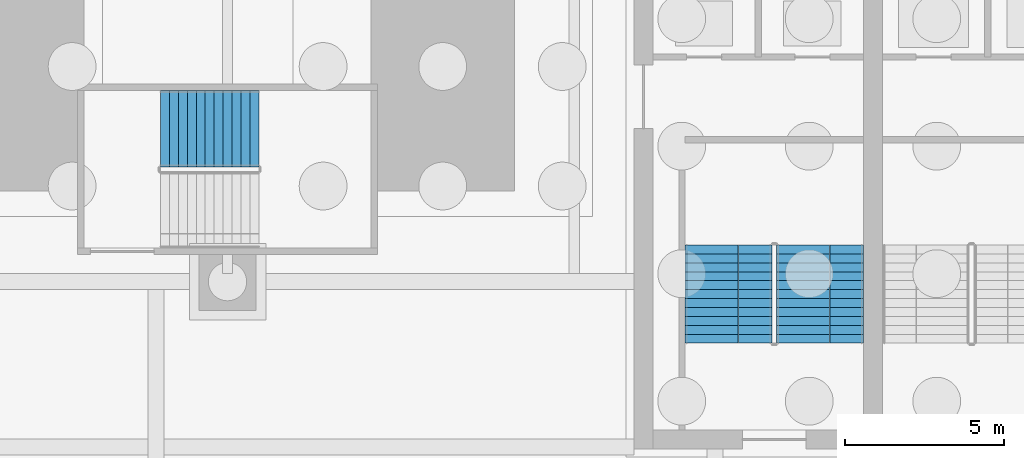
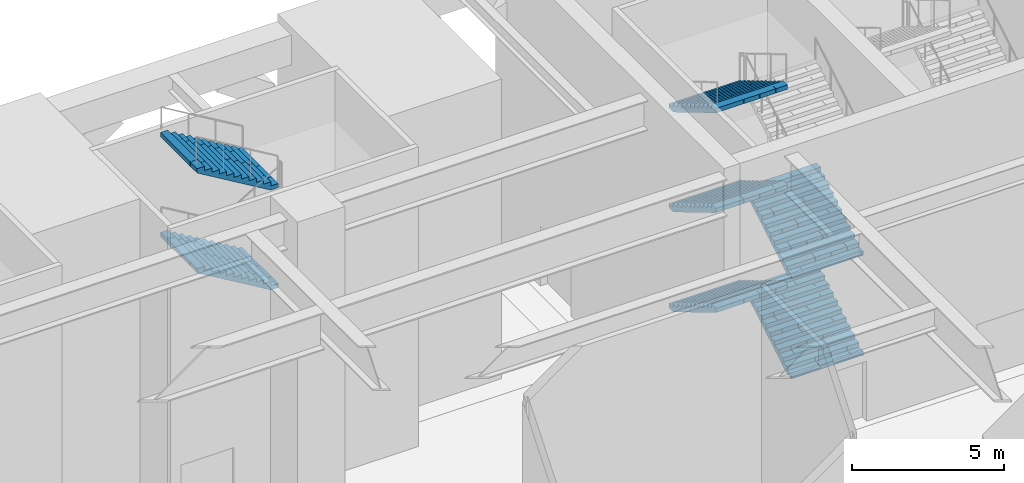
# One storey, part 24 of 34: 7 stair flights, 2 elements without a shape of their own.
"""IFC4 building model written with IfcOpenShell, lengths in metres."""

from ifc_helpers import new_model, si_unit, direction, frame, origin, place, context, subcontext, project, spatial, polyline, outline, extrude, material, type_object, element, aggregate, save


model = new_model("IFC4")

# Units and contexts
model_context = context("Model", 3, precision=1e-05, world=origin(), true_north=direction((0.0, 1.0)))
body_context = subcontext(model_context, "Body", "Model", "MODEL_VIEW")
ifc_project = project(units=[si_unit("LENGTHUNIT", "METRE"), si_unit("AREAUNIT", "SQUARE_METRE"), si_unit("VOLUMEUNIT", "CUBIC_METRE"), si_unit("PLANEANGLEUNIT", "RADIAN"), si_unit("MASSUNIT", "GRAM", prefix="KILO")], contexts=[model_context])

# Site, building, storey
site_placement = place(None, origin())
site = spatial("IfcSite", under=ifc_project, at=site_placement, CompositionType="ELEMENT")
building_placement = place(site_placement, origin())
building = spatial("IfcBuilding", under=site, at=building_placement, Name="Corbelhall Arena Tower", CompositionType="ELEMENT")
storey_placement = place(building_placement, origin())
storey = spatial("IfcBuildingStorey", under=building, at=storey_placement, Name="L00", CompositionType="ELEMENT", Elevation=0.0)

# Stair, stair flights
ifc_material = material(Name="Reinforced concrete C40/50", Category="concrete")
stair_type = type_object("IfcStairType", Name="AR-EXIT-STAIR", PredefinedType="HALF_TURN_STAIR", material=ifc_material)
stair_1_placement = place(storey_placement, origin())
stair_1 = element("IfcStair", 1, at=stair_1_placement, inside=storey, type_object=stair_type, Name="L00 exit stair AS12", PredefinedType="HALF_TURN_STAIR")
stair_flight_type = type_object("IfcStairFlightType", Name="AR-EXIT-FLIGHT", PredefinedType="STRAIGHT", material=ifc_material)
stair_flight_1_placement = place(storey_placement, frame((21.22998046875, 34.050048828125, 6.0), z_axis=(0.0, 0.0, 1.0), x_axis=(-1.0, 0.0, 0.0)))
stair_flight_1 = element("IfcStairFlight", 2, at=stair_flight_1_placement, type_object=stair_flight_type, Name="AS12 flight 4", NumberOfRisers=12, NumberOfTreads=11, PredefinedType="STRAIGHT", RiserHeight=0.166666667, TreadLength=0.28, context=body_context, shape_type="SweptSolid", body=[
    extrude(outline(polyline([(0.0, 0.0), (0.0, 0.166748046875), (0.280029296875, 0.166748046875), (0.280029296875, 0.333251953125), (0.56005859375, 0.333251953125), (0.56005859375, 0.5), (0.840087890625, 0.5), (0.840087890625, 0.666748046875), (1.1201171875, 0.666748046875), (1.1201171875, 0.833251953125), (1.39990234375, 0.833251953125), (1.39990234375, 1.0), (1.679931640625, 1.0), (1.679931640625, 1.166748046875), (1.9599609375, 1.166748046875), (1.9599609375, 1.333251953125), (2.239990234375, 1.333251953125), (2.239990234375, 1.5), (2.52001953125, 1.5), (2.52001953125, 1.666748046875), (2.800048828125, 1.666748046875), (2.800048828125, 1.833251953125), (3.080078125, 1.833251953125), (3.080078125, 2.0), (3.080078125, 1.658935546875), (0.29296875, 0.0), (0.0, 0.0)])), frame((0.0, 1.199951171875, 0.0), z_axis=(0.0, -1.0, 0.0), x_axis=(1.0, 0.0, 0.0)), (0.0, 0.0, 1.0), 0.449951171875),
    extrude(outline(polyline([(0.0, 0.0), (0.0, 0.166748046875), (0.280029296875, 0.166748046875), (0.280029296875, 0.333251953125), (0.56005859375, 0.333251953125), (0.56005859375, 0.5), (0.840087890625, 0.5), (0.840087890625, 0.666748046875), (1.1201171875, 0.666748046875), (1.1201171875, 0.833251953125), (1.39990234375, 0.833251953125), (1.39990234375, 1.0), (1.679931640625, 1.0), (1.679931640625, 1.166748046875), (1.9599609375, 1.166748046875), (1.9599609375, 1.333251953125), (2.239990234375, 1.333251953125), (2.239990234375, 1.5), (2.52001953125, 1.5), (2.52001953125, 1.666748046875), (2.800048828125, 1.666748046875), (2.800048828125, 1.833251953125), (3.080078125, 1.833251953125), (3.080078125, 2.0), (3.080078125, 1.658935546875), (0.29296875, 0.0), (0.0, 0.0)])), frame((0.0, 0.745849609375, 0.0), z_axis=(0.0, -1.0, 0.0), x_axis=(1.0, 0.0, 0.0)), (0.0, 0.0, 1.0), 0.743896484375),
    extrude(outline(polyline([(0.0, 0.0), (0.0, 0.166748046875), (0.280029296875, 0.166748046875), (0.280029296875, 0.333251953125), (0.56005859375, 0.333251953125), (0.56005859375, 0.5), (0.840087890625, 0.5), (0.840087890625, 0.666748046875), (1.1201171875, 0.666748046875), (1.1201171875, 0.833251953125), (1.39990234375, 0.833251953125), (1.39990234375, 1.0), (1.679931640625, 1.0), (1.679931640625, 1.166748046875), (1.9599609375, 1.166748046875), (1.9599609375, 1.333251953125), (2.239990234375, 1.333251953125), (2.239990234375, 1.5), (2.52001953125, 1.5), (2.52001953125, 1.666748046875), (2.800048828125, 1.666748046875), (2.800048828125, 1.833251953125), (3.080078125, 1.833251953125), (3.080078125, 2.0), (3.080078125, 1.658935546875), (0.29296875, 0.0), (0.0, 0.0)])), frame((0.0, -0.001953125, 0.0), z_axis=(0.0, -1.0, 0.0), x_axis=(1.0, 0.0, 0.0)), (0.0, 0.0, 1.0), 0.743896484375),
    extrude(outline(polyline([(0.0, 0.0), (0.0, 0.166748046875), (0.280029296875, 0.166748046875), (0.280029296875, 0.333251953125), (0.56005859375, 0.333251953125), (0.56005859375, 0.5), (0.840087890625, 0.5), (0.840087890625, 0.666748046875), (1.1201171875, 0.666748046875), (1.1201171875, 0.833251953125), (1.39990234375, 0.833251953125), (1.39990234375, 1.0), (1.679931640625, 1.0), (1.679931640625, 1.166748046875), (1.9599609375, 1.166748046875), (1.9599609375, 1.333251953125), (2.239990234375, 1.333251953125), (2.239990234375, 1.5), (2.52001953125, 1.5), (2.52001953125, 1.666748046875), (2.800048828125, 1.666748046875), (2.800048828125, 1.833251953125), (3.080078125, 1.833251953125), (3.080078125, 2.0), (3.080078125, 1.658935546875), (0.29296875, 0.0), (0.0, 0.0)])), frame((0.0, -0.75, 0.0), z_axis=(0.0, -1.0, 0.0), x_axis=(1.0, 0.0, 0.0)), (0.0, 0.0, 1.0), 0.449951171875),
])
stair_flight_2_placement = place(storey_placement, frame((21.22998046875, 34.050048828125, 10.0), z_axis=(0.0, 0.0, 1.0), x_axis=(-1.0, 0.0, 0.0)))
stair_flight_2 = element("IfcStairFlight", 3, at=stair_flight_2_placement, type_object=stair_flight_type, Name="AS12 flight 6", NumberOfRisers=12, NumberOfTreads=11, PredefinedType="STRAIGHT", RiserHeight=0.166666667, TreadLength=0.28, context=body_context, shape_type="SweptSolid", body=[
    extrude(outline(polyline([(0.0, 0.0), (0.0, 0.166748046875), (0.280029296875, 0.166748046875), (0.280029296875, 0.333251953125), (0.56005859375, 0.333251953125), (0.56005859375, 0.5), (0.840087890625, 0.5), (0.840087890625, 0.666748046875), (1.1201171875, 0.666748046875), (1.1201171875, 0.833251953125), (1.39990234375, 0.833251953125), (1.39990234375, 1.0), (1.679931640625, 1.0), (1.679931640625, 1.166748046875), (1.9599609375, 1.166748046875), (1.9599609375, 1.333251953125), (2.239990234375, 1.333251953125), (2.239990234375, 1.5), (2.52001953125, 1.5), (2.52001953125, 1.666748046875), (2.800048828125, 1.666748046875), (2.800048828125, 1.833251953125), (3.080078125, 1.833251953125), (3.080078125, 2.0), (3.080078125, 1.658935546875), (0.29296875, 0.0), (0.0, 0.0)])), frame((0.0, 1.199951171875, 0.0), z_axis=(0.0, -1.0, 0.0), x_axis=(1.0, 0.0, 0.0)), (0.0, 0.0, 1.0), 0.449951171875),
    extrude(outline(polyline([(0.0, 0.0), (0.0, 0.166748046875), (0.280029296875, 0.166748046875), (0.280029296875, 0.333251953125), (0.56005859375, 0.333251953125), (0.56005859375, 0.5), (0.840087890625, 0.5), (0.840087890625, 0.666748046875), (1.1201171875, 0.666748046875), (1.1201171875, 0.833251953125), (1.39990234375, 0.833251953125), (1.39990234375, 1.0), (1.679931640625, 1.0), (1.679931640625, 1.166748046875), (1.9599609375, 1.166748046875), (1.9599609375, 1.333251953125), (2.239990234375, 1.333251953125), (2.239990234375, 1.5), (2.52001953125, 1.5), (2.52001953125, 1.666748046875), (2.800048828125, 1.666748046875), (2.800048828125, 1.833251953125), (3.080078125, 1.833251953125), (3.080078125, 2.0), (3.080078125, 1.658935546875), (0.29296875, 0.0), (0.0, 0.0)])), frame((0.0, 0.745849609375, 0.0), z_axis=(0.0, -1.0, 0.0), x_axis=(1.0, 0.0, 0.0)), (0.0, 0.0, 1.0), 0.743896484375),
    extrude(outline(polyline([(0.0, 0.0), (0.0, 0.166748046875), (0.280029296875, 0.166748046875), (0.280029296875, 0.333251953125), (0.56005859375, 0.333251953125), (0.56005859375, 0.5), (0.840087890625, 0.5), (0.840087890625, 0.666748046875), (1.1201171875, 0.666748046875), (1.1201171875, 0.833251953125), (1.39990234375, 0.833251953125), (1.39990234375, 1.0), (1.679931640625, 1.0), (1.679931640625, 1.166748046875), (1.9599609375, 1.166748046875), (1.9599609375, 1.333251953125), (2.239990234375, 1.333251953125), (2.239990234375, 1.5), (2.52001953125, 1.5), (2.52001953125, 1.666748046875), (2.800048828125, 1.666748046875), (2.800048828125, 1.833251953125), (3.080078125, 1.833251953125), (3.080078125, 2.0), (3.080078125, 1.658935546875), (0.29296875, 0.0), (0.0, 0.0)])), frame((0.0, -0.001953125, 0.0), z_axis=(0.0, -1.0, 0.0), x_axis=(1.0, 0.0, 0.0)), (0.0, 0.0, 1.0), 0.743896484375),
    extrude(outline(polyline([(0.0, 0.0), (0.0, 0.166748046875), (0.280029296875, 0.166748046875), (0.280029296875, 0.333251953125), (0.56005859375, 0.333251953125), (0.56005859375, 0.5), (0.840087890625, 0.5), (0.840087890625, 0.666748046875), (1.1201171875, 0.666748046875), (1.1201171875, 0.833251953125), (1.39990234375, 0.833251953125), (1.39990234375, 1.0), (1.679931640625, 1.0), (1.679931640625, 1.166748046875), (1.9599609375, 1.166748046875), (1.9599609375, 1.333251953125), (2.239990234375, 1.333251953125), (2.239990234375, 1.5), (2.52001953125, 1.5), (2.52001953125, 1.666748046875), (2.800048828125, 1.666748046875), (2.800048828125, 1.833251953125), (3.080078125, 1.833251953125), (3.080078125, 2.0), (3.080078125, 1.658935546875), (0.29296875, 0.0), (0.0, 0.0)])), frame((0.0, -0.75, 0.0), z_axis=(0.0, -1.0, 0.0), x_axis=(1.0, 0.0, 0.0)), (0.0, 0.0, 1.0), 0.449951171875),
])
aggregate(stair_1, [stair_flight_1, stair_flight_2])

stair_2_placement = place(storey_placement, origin())
stair_2 = element("IfcStair", 4, at=stair_2_placement, inside=storey, type_object=stair_type, Name="L00 exit stair AS1", PredefinedType="HALF_TURN_STAIR")
stair_flight_3_placement = place(storey_placement, frame((38.840087890625, 27.320068359375, 0.0), z_axis=(0.0, 0.0, 1.0), x_axis=(0.0, 1.0, 0.0)))
stair_flight_3 = element("IfcStairFlight", 5, at=stair_flight_3_placement, type_object=stair_flight_type, Name="AS1 flight 1", NumberOfRisers=12, NumberOfTreads=11, PredefinedType="STRAIGHT", RiserHeight=0.166666667, TreadLength=0.28, context=body_context, shape_type="SweptSolid", body=[
    extrude(outline(polyline([(0.0, 0.0), (0.0, 0.166748046875), (0.280029296875, 0.166748046875), (0.280029296875, 0.333251953125), (0.56005859375, 0.333251953125), (0.56005859375, 0.5), (0.840087890625, 0.5), (0.840087890625, 0.666748046875), (1.1201171875, 0.666748046875), (1.1201171875, 0.833251953125), (1.39990234375, 0.833251953125), (1.39990234375, 1.0), (1.679931640625, 1.0), (1.679931640625, 1.166748046875), (1.9599609375, 1.166748046875), (1.9599609375, 1.333251953125), (2.239990234375, 1.333251953125), (2.239990234375, 1.5), (2.52001953125, 1.5), (2.52001953125, 1.666748046875), (2.800048828125, 1.666748046875), (2.800048828125, 1.833251953125), (3.080078125, 1.833251953125), (3.080078125, 2.0), (3.080078125, 1.658935546875), (0.29296875, 0.0), (0.0, 0.0)])), frame((0.0, 1.35986328125, 0.0), z_axis=(0.0, -1.0, 0.0), x_axis=(1.0, 0.0, 0.0)), (0.0, 0.0, 1.0), 0.449951171875),
    extrude(outline(polyline([(0.0, 0.0), (0.0, 0.166748046875), (0.280029296875, 0.166748046875), (0.280029296875, 0.333251953125), (0.56005859375, 0.333251953125), (0.56005859375, 0.5), (0.840087890625, 0.5), (0.840087890625, 0.666748046875), (1.1201171875, 0.666748046875), (1.1201171875, 0.833251953125), (1.39990234375, 0.833251953125), (1.39990234375, 1.0), (1.679931640625, 1.0), (1.679931640625, 1.166748046875), (1.9599609375, 1.166748046875), (1.9599609375, 1.333251953125), (2.239990234375, 1.333251953125), (2.239990234375, 1.5), (2.52001953125, 1.5), (2.52001953125, 1.666748046875), (2.800048828125, 1.666748046875), (2.800048828125, 1.833251953125), (3.080078125, 1.833251953125), (3.080078125, 2.0), (3.080078125, 1.658935546875), (0.29296875, 0.0), (0.0, 0.0)])), frame((0.0, 0.906005859375, 0.0), z_axis=(0.0, -1.0, 0.0), x_axis=(1.0, 0.0, 0.0)), (0.0, 0.0, 1.0), 0.601318359375),
    extrude(outline(polyline([(0.0, 0.0), (0.0, 0.166748046875), (0.280029296875, 0.166748046875), (0.280029296875, 0.333251953125), (0.56005859375, 0.333251953125), (0.56005859375, 0.5), (0.840087890625, 0.5), (0.840087890625, 0.666748046875), (1.1201171875, 0.666748046875), (1.1201171875, 0.833251953125), (1.39990234375, 0.833251953125), (1.39990234375, 1.0), (1.679931640625, 1.0), (1.679931640625, 1.166748046875), (1.9599609375, 1.166748046875), (1.9599609375, 1.333251953125), (2.239990234375, 1.333251953125), (2.239990234375, 1.5), (2.52001953125, 1.5), (2.52001953125, 1.666748046875), (2.800048828125, 1.666748046875), (2.800048828125, 1.833251953125), (3.080078125, 1.833251953125), (3.080078125, 2.0), (3.080078125, 1.658935546875), (0.29296875, 0.0), (0.0, 0.0)])), frame((0.0, 0.30078125, 0.0), z_axis=(0.0, -1.0, 0.0), x_axis=(1.0, 0.0, 0.0)), (0.0, 0.0, 1.0), 0.601318359375),
    extrude(outline(polyline([(0.0, 0.0), (0.0, 0.166748046875), (0.280029296875, 0.166748046875), (0.280029296875, 0.333251953125), (0.56005859375, 0.333251953125), (0.56005859375, 0.5), (0.840087890625, 0.5), (0.840087890625, 0.666748046875), (1.1201171875, 0.666748046875), (1.1201171875, 0.833251953125), (1.39990234375, 0.833251953125), (1.39990234375, 1.0), (1.679931640625, 1.0), (1.679931640625, 1.166748046875), (1.9599609375, 1.166748046875), (1.9599609375, 1.333251953125), (2.239990234375, 1.333251953125), (2.239990234375, 1.5), (2.52001953125, 1.5), (2.52001953125, 1.666748046875), (2.800048828125, 1.666748046875), (2.800048828125, 1.833251953125), (3.080078125, 1.833251953125), (3.080078125, 2.0), (3.080078125, 1.658935546875), (0.29296875, 0.0), (0.0, 0.0)])), frame((0.0, -0.3046875, 0.0), z_axis=(0.0, -1.0, 0.0), x_axis=(1.0, 0.0, 0.0)), (0.0, 0.0, 1.0), 0.601318359375),
    extrude(outline(polyline([(0.0, 0.0), (0.0, 0.166748046875), (0.280029296875, 0.166748046875), (0.280029296875, 0.333251953125), (0.56005859375, 0.333251953125), (0.56005859375, 0.5), (0.840087890625, 0.5), (0.840087890625, 0.666748046875), (1.1201171875, 0.666748046875), (1.1201171875, 0.833251953125), (1.39990234375, 0.833251953125), (1.39990234375, 1.0), (1.679931640625, 1.0), (1.679931640625, 1.166748046875), (1.9599609375, 1.166748046875), (1.9599609375, 1.333251953125), (2.239990234375, 1.333251953125), (2.239990234375, 1.5), (2.52001953125, 1.5), (2.52001953125, 1.666748046875), (2.800048828125, 1.666748046875), (2.800048828125, 1.833251953125), (3.080078125, 1.833251953125), (3.080078125, 2.0), (3.080078125, 1.658935546875), (0.29296875, 0.0), (0.0, 0.0)])), frame((0.0, -0.909912109375, 0.0), z_axis=(0.0, -1.0, 0.0), x_axis=(1.0, 0.0, 0.0)), (0.0, 0.0, 1.0), 0.449951171875),
])
stair_flight_4_placement = place(storey_placement, frame((35.969970703125, 30.39990234375, 2.0), z_axis=(0.0, 0.0, 1.0), x_axis=(0.0, -1.0, 0.0)))
stair_flight_4 = element("IfcStairFlight", 6, at=stair_flight_4_placement, type_object=stair_flight_type, Name="AS1 flight 2", NumberOfRisers=12, NumberOfTreads=11, PredefinedType="STRAIGHT", RiserHeight=0.166666667, TreadLength=0.28, context=body_context, shape_type="SweptSolid", body=[
    extrude(outline(polyline([(0.0, 0.0), (0.0, 0.166748046875), (0.280029296875, 0.166748046875), (0.280029296875, 0.333251953125), (0.56005859375, 0.333251953125), (0.56005859375, 0.5), (0.840087890625, 0.5), (0.840087890625, 0.666748046875), (1.1201171875, 0.666748046875), (1.1201171875, 0.833251953125), (1.39990234375, 0.833251953125), (1.39990234375, 1.0), (1.679931640625, 1.0), (1.679931640625, 1.166748046875), (1.9599609375, 1.166748046875), (1.9599609375, 1.333251953125), (2.239990234375, 1.333251953125), (2.239990234375, 1.5), (2.52001953125, 1.5), (2.52001953125, 1.666748046875), (2.800048828125, 1.666748046875), (2.800048828125, 1.833251953125), (3.080078125, 1.833251953125), (3.080078125, 2.0), (3.080078125, 1.658935546875), (0.29296875, 0.0), (0.0, 0.0)])), frame((0.0, 1.35986328125, 0.0), z_axis=(0.0, -1.0, 0.0), x_axis=(1.0, 0.0, 0.0)), (0.0, 0.0, 1.0), 0.449951171875),
    extrude(outline(polyline([(0.0, 0.0), (0.0, 0.166748046875), (0.280029296875, 0.166748046875), (0.280029296875, 0.333251953125), (0.56005859375, 0.333251953125), (0.56005859375, 0.5), (0.840087890625, 0.5), (0.840087890625, 0.666748046875), (1.1201171875, 0.666748046875), (1.1201171875, 0.833251953125), (1.39990234375, 0.833251953125), (1.39990234375, 1.0), (1.679931640625, 1.0), (1.679931640625, 1.166748046875), (1.9599609375, 1.166748046875), (1.9599609375, 1.333251953125), (2.239990234375, 1.333251953125), (2.239990234375, 1.5), (2.52001953125, 1.5), (2.52001953125, 1.666748046875), (2.800048828125, 1.666748046875), (2.800048828125, 1.833251953125), (3.080078125, 1.833251953125), (3.080078125, 2.0), (3.080078125, 1.658935546875), (0.29296875, 0.0), (0.0, 0.0)])), frame((0.0, 0.906005859375, 0.0), z_axis=(0.0, -1.0, 0.0), x_axis=(1.0, 0.0, 0.0)), (0.0, 0.0, 1.0), 0.601318359375),
    extrude(outline(polyline([(0.0, 0.0), (0.0, 0.166748046875), (0.280029296875, 0.166748046875), (0.280029296875, 0.333251953125), (0.56005859375, 0.333251953125), (0.56005859375, 0.5), (0.840087890625, 0.5), (0.840087890625, 0.666748046875), (1.1201171875, 0.666748046875), (1.1201171875, 0.833251953125), (1.39990234375, 0.833251953125), (1.39990234375, 1.0), (1.679931640625, 1.0), (1.679931640625, 1.166748046875), (1.9599609375, 1.166748046875), (1.9599609375, 1.333251953125), (2.239990234375, 1.333251953125), (2.239990234375, 1.5), (2.52001953125, 1.5), (2.52001953125, 1.666748046875), (2.800048828125, 1.666748046875), (2.800048828125, 1.833251953125), (3.080078125, 1.833251953125), (3.080078125, 2.0), (3.080078125, 1.658935546875), (0.29296875, 0.0), (0.0, 0.0)])), frame((0.0, 0.30078125, 0.0), z_axis=(0.0, -1.0, 0.0), x_axis=(1.0, 0.0, 0.0)), (0.0, 0.0, 1.0), 0.601318359375),
    extrude(outline(polyline([(0.0, 0.0), (0.0, 0.166748046875), (0.280029296875, 0.166748046875), (0.280029296875, 0.333251953125), (0.56005859375, 0.333251953125), (0.56005859375, 0.5), (0.840087890625, 0.5), (0.840087890625, 0.666748046875), (1.1201171875, 0.666748046875), (1.1201171875, 0.833251953125), (1.39990234375, 0.833251953125), (1.39990234375, 1.0), (1.679931640625, 1.0), (1.679931640625, 1.166748046875), (1.9599609375, 1.166748046875), (1.9599609375, 1.333251953125), (2.239990234375, 1.333251953125), (2.239990234375, 1.5), (2.52001953125, 1.5), (2.52001953125, 1.666748046875), (2.800048828125, 1.666748046875), (2.800048828125, 1.833251953125), (3.080078125, 1.833251953125), (3.080078125, 2.0), (3.080078125, 1.658935546875), (0.29296875, 0.0), (0.0, 0.0)])), frame((0.0, -0.3046875, 0.0), z_axis=(0.0, -1.0, 0.0), x_axis=(1.0, 0.0, 0.0)), (0.0, 0.0, 1.0), 0.601318359375),
    extrude(outline(polyline([(0.0, 0.0), (0.0, 0.166748046875), (0.280029296875, 0.166748046875), (0.280029296875, 0.333251953125), (0.56005859375, 0.333251953125), (0.56005859375, 0.5), (0.840087890625, 0.5), (0.840087890625, 0.666748046875), (1.1201171875, 0.666748046875), (1.1201171875, 0.833251953125), (1.39990234375, 0.833251953125), (1.39990234375, 1.0), (1.679931640625, 1.0), (1.679931640625, 1.166748046875), (1.9599609375, 1.166748046875), (1.9599609375, 1.333251953125), (2.239990234375, 1.333251953125), (2.239990234375, 1.5), (2.52001953125, 1.5), (2.52001953125, 1.666748046875), (2.800048828125, 1.666748046875), (2.800048828125, 1.833251953125), (3.080078125, 1.833251953125), (3.080078125, 2.0), (3.080078125, 1.658935546875), (0.29296875, 0.0), (0.0, 0.0)])), frame((0.0, -0.909912109375, 0.0), z_axis=(0.0, -1.0, 0.0), x_axis=(1.0, 0.0, 0.0)), (0.0, 0.0, 1.0), 0.449951171875),
])
stair_flight_5_placement = place(storey_placement, frame((38.840087890625, 27.320068359375, 4.0), z_axis=(0.0, 0.0, 1.0), x_axis=(0.0, 1.0, 0.0)))
stair_flight_5 = element("IfcStairFlight", 7, at=stair_flight_5_placement, type_object=stair_flight_type, Name="AS1 flight 3", NumberOfRisers=12, NumberOfTreads=11, PredefinedType="STRAIGHT", RiserHeight=0.166666667, TreadLength=0.28, context=body_context, shape_type="SweptSolid", body=[
    extrude(outline(polyline([(0.0, 0.0), (0.0, 0.166748046875), (0.280029296875, 0.166748046875), (0.280029296875, 0.333251953125), (0.56005859375, 0.333251953125), (0.56005859375, 0.5), (0.840087890625, 0.5), (0.840087890625, 0.666748046875), (1.1201171875, 0.666748046875), (1.1201171875, 0.833251953125), (1.39990234375, 0.833251953125), (1.39990234375, 1.0), (1.679931640625, 1.0), (1.679931640625, 1.166748046875), (1.9599609375, 1.166748046875), (1.9599609375, 1.333251953125), (2.239990234375, 1.333251953125), (2.239990234375, 1.5), (2.52001953125, 1.5), (2.52001953125, 1.666748046875), (2.800048828125, 1.666748046875), (2.800048828125, 1.833251953125), (3.080078125, 1.833251953125), (3.080078125, 2.0), (3.080078125, 1.658935546875), (0.29296875, 0.0), (0.0, 0.0)])), frame((0.0, 1.35986328125, 0.0), z_axis=(0.0, -1.0, 0.0), x_axis=(1.0, 0.0, 0.0)), (0.0, 0.0, 1.0), 0.449951171875),
    extrude(outline(polyline([(0.0, 0.0), (0.0, 0.166748046875), (0.280029296875, 0.166748046875), (0.280029296875, 0.333251953125), (0.56005859375, 0.333251953125), (0.56005859375, 0.5), (0.840087890625, 0.5), (0.840087890625, 0.666748046875), (1.1201171875, 0.666748046875), (1.1201171875, 0.833251953125), (1.39990234375, 0.833251953125), (1.39990234375, 1.0), (1.679931640625, 1.0), (1.679931640625, 1.166748046875), (1.9599609375, 1.166748046875), (1.9599609375, 1.333251953125), (2.239990234375, 1.333251953125), (2.239990234375, 1.5), (2.52001953125, 1.5), (2.52001953125, 1.666748046875), (2.800048828125, 1.666748046875), (2.800048828125, 1.833251953125), (3.080078125, 1.833251953125), (3.080078125, 2.0), (3.080078125, 1.658935546875), (0.29296875, 0.0), (0.0, 0.0)])), frame((0.0, 0.906005859375, 0.0), z_axis=(0.0, -1.0, 0.0), x_axis=(1.0, 0.0, 0.0)), (0.0, 0.0, 1.0), 0.601318359375),
    extrude(outline(polyline([(0.0, 0.0), (0.0, 0.166748046875), (0.280029296875, 0.166748046875), (0.280029296875, 0.333251953125), (0.56005859375, 0.333251953125), (0.56005859375, 0.5), (0.840087890625, 0.5), (0.840087890625, 0.666748046875), (1.1201171875, 0.666748046875), (1.1201171875, 0.833251953125), (1.39990234375, 0.833251953125), (1.39990234375, 1.0), (1.679931640625, 1.0), (1.679931640625, 1.166748046875), (1.9599609375, 1.166748046875), (1.9599609375, 1.333251953125), (2.239990234375, 1.333251953125), (2.239990234375, 1.5), (2.52001953125, 1.5), (2.52001953125, 1.666748046875), (2.800048828125, 1.666748046875), (2.800048828125, 1.833251953125), (3.080078125, 1.833251953125), (3.080078125, 2.0), (3.080078125, 1.658935546875), (0.29296875, 0.0), (0.0, 0.0)])), frame((0.0, 0.30078125, 0.0), z_axis=(0.0, -1.0, 0.0), x_axis=(1.0, 0.0, 0.0)), (0.0, 0.0, 1.0), 0.601318359375),
    extrude(outline(polyline([(0.0, 0.0), (0.0, 0.166748046875), (0.280029296875, 0.166748046875), (0.280029296875, 0.333251953125), (0.56005859375, 0.333251953125), (0.56005859375, 0.5), (0.840087890625, 0.5), (0.840087890625, 0.666748046875), (1.1201171875, 0.666748046875), (1.1201171875, 0.833251953125), (1.39990234375, 0.833251953125), (1.39990234375, 1.0), (1.679931640625, 1.0), (1.679931640625, 1.166748046875), (1.9599609375, 1.166748046875), (1.9599609375, 1.333251953125), (2.239990234375, 1.333251953125), (2.239990234375, 1.5), (2.52001953125, 1.5), (2.52001953125, 1.666748046875), (2.800048828125, 1.666748046875), (2.800048828125, 1.833251953125), (3.080078125, 1.833251953125), (3.080078125, 2.0), (3.080078125, 1.658935546875), (0.29296875, 0.0), (0.0, 0.0)])), frame((0.0, -0.3046875, 0.0), z_axis=(0.0, -1.0, 0.0), x_axis=(1.0, 0.0, 0.0)), (0.0, 0.0, 1.0), 0.601318359375),
    extrude(outline(polyline([(0.0, 0.0), (0.0, 0.166748046875), (0.280029296875, 0.166748046875), (0.280029296875, 0.333251953125), (0.56005859375, 0.333251953125), (0.56005859375, 0.5), (0.840087890625, 0.5), (0.840087890625, 0.666748046875), (1.1201171875, 0.666748046875), (1.1201171875, 0.833251953125), (1.39990234375, 0.833251953125), (1.39990234375, 1.0), (1.679931640625, 1.0), (1.679931640625, 1.166748046875), (1.9599609375, 1.166748046875), (1.9599609375, 1.333251953125), (2.239990234375, 1.333251953125), (2.239990234375, 1.5), (2.52001953125, 1.5), (2.52001953125, 1.666748046875), (2.800048828125, 1.666748046875), (2.800048828125, 1.833251953125), (3.080078125, 1.833251953125), (3.080078125, 2.0), (3.080078125, 1.658935546875), (0.29296875, 0.0), (0.0, 0.0)])), frame((0.0, -0.909912109375, 0.0), z_axis=(0.0, -1.0, 0.0), x_axis=(1.0, 0.0, 0.0)), (0.0, 0.0, 1.0), 0.449951171875),
])
stair_flight_6_placement = place(storey_placement, frame((35.969970703125, 30.39990234375, 6.0), z_axis=(0.0, 0.0, 1.0), x_axis=(0.0, -1.0, 0.0)))
stair_flight_6 = element("IfcStairFlight", 8, at=stair_flight_6_placement, type_object=stair_flight_type, Name="AS1 flight 4", NumberOfRisers=12, NumberOfTreads=11, PredefinedType="STRAIGHT", RiserHeight=0.166666667, TreadLength=0.28, context=body_context, shape_type="SweptSolid", body=[
    extrude(outline(polyline([(0.0, 0.0), (0.0, 0.166748046875), (0.280029296875, 0.166748046875), (0.280029296875, 0.333251953125), (0.56005859375, 0.333251953125), (0.56005859375, 0.5), (0.840087890625, 0.5), (0.840087890625, 0.666748046875), (1.1201171875, 0.666748046875), (1.1201171875, 0.833251953125), (1.39990234375, 0.833251953125), (1.39990234375, 1.0), (1.679931640625, 1.0), (1.679931640625, 1.166748046875), (1.9599609375, 1.166748046875), (1.9599609375, 1.333251953125), (2.239990234375, 1.333251953125), (2.239990234375, 1.5), (2.52001953125, 1.5), (2.52001953125, 1.666748046875), (2.800048828125, 1.666748046875), (2.800048828125, 1.833251953125), (3.080078125, 1.833251953125), (3.080078125, 2.0), (3.080078125, 1.658935546875), (0.29296875, 0.0), (0.0, 0.0)])), frame((0.0, 1.35986328125, 0.0), z_axis=(0.0, -1.0, 0.0), x_axis=(1.0, 0.0, 0.0)), (0.0, 0.0, 1.0), 0.449951171875),
    extrude(outline(polyline([(0.0, 0.0), (0.0, 0.166748046875), (0.280029296875, 0.166748046875), (0.280029296875, 0.333251953125), (0.56005859375, 0.333251953125), (0.56005859375, 0.5), (0.840087890625, 0.5), (0.840087890625, 0.666748046875), (1.1201171875, 0.666748046875), (1.1201171875, 0.833251953125), (1.39990234375, 0.833251953125), (1.39990234375, 1.0), (1.679931640625, 1.0), (1.679931640625, 1.166748046875), (1.9599609375, 1.166748046875), (1.9599609375, 1.333251953125), (2.239990234375, 1.333251953125), (2.239990234375, 1.5), (2.52001953125, 1.5), (2.52001953125, 1.666748046875), (2.800048828125, 1.666748046875), (2.800048828125, 1.833251953125), (3.080078125, 1.833251953125), (3.080078125, 2.0), (3.080078125, 1.658935546875), (0.29296875, 0.0), (0.0, 0.0)])), frame((0.0, 0.906005859375, 0.0), z_axis=(0.0, -1.0, 0.0), x_axis=(1.0, 0.0, 0.0)), (0.0, 0.0, 1.0), 0.601318359375),
    extrude(outline(polyline([(0.0, 0.0), (0.0, 0.166748046875), (0.280029296875, 0.166748046875), (0.280029296875, 0.333251953125), (0.56005859375, 0.333251953125), (0.56005859375, 0.5), (0.840087890625, 0.5), (0.840087890625, 0.666748046875), (1.1201171875, 0.666748046875), (1.1201171875, 0.833251953125), (1.39990234375, 0.833251953125), (1.39990234375, 1.0), (1.679931640625, 1.0), (1.679931640625, 1.166748046875), (1.9599609375, 1.166748046875), (1.9599609375, 1.333251953125), (2.239990234375, 1.333251953125), (2.239990234375, 1.5), (2.52001953125, 1.5), (2.52001953125, 1.666748046875), (2.800048828125, 1.666748046875), (2.800048828125, 1.833251953125), (3.080078125, 1.833251953125), (3.080078125, 2.0), (3.080078125, 1.658935546875), (0.29296875, 0.0), (0.0, 0.0)])), frame((0.0, 0.30078125, 0.0), z_axis=(0.0, -1.0, 0.0), x_axis=(1.0, 0.0, 0.0)), (0.0, 0.0, 1.0), 0.601318359375),
    extrude(outline(polyline([(0.0, 0.0), (0.0, 0.166748046875), (0.280029296875, 0.166748046875), (0.280029296875, 0.333251953125), (0.56005859375, 0.333251953125), (0.56005859375, 0.5), (0.840087890625, 0.5), (0.840087890625, 0.666748046875), (1.1201171875, 0.666748046875), (1.1201171875, 0.833251953125), (1.39990234375, 0.833251953125), (1.39990234375, 1.0), (1.679931640625, 1.0), (1.679931640625, 1.166748046875), (1.9599609375, 1.166748046875), (1.9599609375, 1.333251953125), (2.239990234375, 1.333251953125), (2.239990234375, 1.5), (2.52001953125, 1.5), (2.52001953125, 1.666748046875), (2.800048828125, 1.666748046875), (2.800048828125, 1.833251953125), (3.080078125, 1.833251953125), (3.080078125, 2.0), (3.080078125, 1.658935546875), (0.29296875, 0.0), (0.0, 0.0)])), frame((0.0, -0.3046875, 0.0), z_axis=(0.0, -1.0, 0.0), x_axis=(1.0, 0.0, 0.0)), (0.0, 0.0, 1.0), 0.601318359375),
    extrude(outline(polyline([(0.0, 0.0), (0.0, 0.166748046875), (0.280029296875, 0.166748046875), (0.280029296875, 0.333251953125), (0.56005859375, 0.333251953125), (0.56005859375, 0.5), (0.840087890625, 0.5), (0.840087890625, 0.666748046875), (1.1201171875, 0.666748046875), (1.1201171875, 0.833251953125), (1.39990234375, 0.833251953125), (1.39990234375, 1.0), (1.679931640625, 1.0), (1.679931640625, 1.166748046875), (1.9599609375, 1.166748046875), (1.9599609375, 1.333251953125), (2.239990234375, 1.333251953125), (2.239990234375, 1.5), (2.52001953125, 1.5), (2.52001953125, 1.666748046875), (2.800048828125, 1.666748046875), (2.800048828125, 1.833251953125), (3.080078125, 1.833251953125), (3.080078125, 2.0), (3.080078125, 1.658935546875), (0.29296875, 0.0), (0.0, 0.0)])), frame((0.0, -0.909912109375, 0.0), z_axis=(0.0, -1.0, 0.0), x_axis=(1.0, 0.0, 0.0)), (0.0, 0.0, 1.0), 0.449951171875),
])
stair_flight_7_placement = place(storey_placement, frame((35.969970703125, 30.39990234375, 10.0), z_axis=(0.0, 0.0, 1.0), x_axis=(0.0, -1.0, 0.0)))
stair_flight_7 = element("IfcStairFlight", 9, at=stair_flight_7_placement, type_object=stair_flight_type, Name="AS1 flight 6", NumberOfRisers=12, NumberOfTreads=11, PredefinedType="STRAIGHT", RiserHeight=0.166666667, TreadLength=0.28, context=body_context, shape_type="SweptSolid", body=[
    extrude(outline(polyline([(0.0, 0.0), (0.0, 0.166748046875), (0.280029296875, 0.166748046875), (0.280029296875, 0.333251953125), (0.56005859375, 0.333251953125), (0.56005859375, 0.5), (0.840087890625, 0.5), (0.840087890625, 0.666748046875), (1.1201171875, 0.666748046875), (1.1201171875, 0.833251953125), (1.39990234375, 0.833251953125), (1.39990234375, 1.0), (1.679931640625, 1.0), (1.679931640625, 1.166748046875), (1.9599609375, 1.166748046875), (1.9599609375, 1.333251953125), (2.239990234375, 1.333251953125), (2.239990234375, 1.5), (2.52001953125, 1.5), (2.52001953125, 1.666748046875), (2.800048828125, 1.666748046875), (2.800048828125, 1.833251953125), (3.080078125, 1.833251953125), (3.080078125, 2.0), (3.080078125, 1.658935546875), (0.29296875, 0.0), (0.0, 0.0)])), frame((0.0, 1.35986328125, 0.0), z_axis=(0.0, -1.0, 0.0), x_axis=(1.0, 0.0, 0.0)), (0.0, 0.0, 1.0), 0.449951171875),
    extrude(outline(polyline([(0.0, 0.0), (0.0, 0.166748046875), (0.280029296875, 0.166748046875), (0.280029296875, 0.333251953125), (0.56005859375, 0.333251953125), (0.56005859375, 0.5), (0.840087890625, 0.5), (0.840087890625, 0.666748046875), (1.1201171875, 0.666748046875), (1.1201171875, 0.833251953125), (1.39990234375, 0.833251953125), (1.39990234375, 1.0), (1.679931640625, 1.0), (1.679931640625, 1.166748046875), (1.9599609375, 1.166748046875), (1.9599609375, 1.333251953125), (2.239990234375, 1.333251953125), (2.239990234375, 1.5), (2.52001953125, 1.5), (2.52001953125, 1.666748046875), (2.800048828125, 1.666748046875), (2.800048828125, 1.833251953125), (3.080078125, 1.833251953125), (3.080078125, 2.0), (3.080078125, 1.658935546875), (0.29296875, 0.0), (0.0, 0.0)])), frame((0.0, 0.906005859375, 0.0), z_axis=(0.0, -1.0, 0.0), x_axis=(1.0, 0.0, 0.0)), (0.0, 0.0, 1.0), 0.601318359375),
    extrude(outline(polyline([(0.0, 0.0), (0.0, 0.166748046875), (0.280029296875, 0.166748046875), (0.280029296875, 0.333251953125), (0.56005859375, 0.333251953125), (0.56005859375, 0.5), (0.840087890625, 0.5), (0.840087890625, 0.666748046875), (1.1201171875, 0.666748046875), (1.1201171875, 0.833251953125), (1.39990234375, 0.833251953125), (1.39990234375, 1.0), (1.679931640625, 1.0), (1.679931640625, 1.166748046875), (1.9599609375, 1.166748046875), (1.9599609375, 1.333251953125), (2.239990234375, 1.333251953125), (2.239990234375, 1.5), (2.52001953125, 1.5), (2.52001953125, 1.666748046875), (2.800048828125, 1.666748046875), (2.800048828125, 1.833251953125), (3.080078125, 1.833251953125), (3.080078125, 2.0), (3.080078125, 1.658935546875), (0.29296875, 0.0), (0.0, 0.0)])), frame((0.0, 0.30078125, 0.0), z_axis=(0.0, -1.0, 0.0), x_axis=(1.0, 0.0, 0.0)), (0.0, 0.0, 1.0), 0.601318359375),
    extrude(outline(polyline([(0.0, 0.0), (0.0, 0.166748046875), (0.280029296875, 0.166748046875), (0.280029296875, 0.333251953125), (0.56005859375, 0.333251953125), (0.56005859375, 0.5), (0.840087890625, 0.5), (0.840087890625, 0.666748046875), (1.1201171875, 0.666748046875), (1.1201171875, 0.833251953125), (1.39990234375, 0.833251953125), (1.39990234375, 1.0), (1.679931640625, 1.0), (1.679931640625, 1.166748046875), (1.9599609375, 1.166748046875), (1.9599609375, 1.333251953125), (2.239990234375, 1.333251953125), (2.239990234375, 1.5), (2.52001953125, 1.5), (2.52001953125, 1.666748046875), (2.800048828125, 1.666748046875), (2.800048828125, 1.833251953125), (3.080078125, 1.833251953125), (3.080078125, 2.0), (3.080078125, 1.658935546875), (0.29296875, 0.0), (0.0, 0.0)])), frame((0.0, -0.3046875, 0.0), z_axis=(0.0, -1.0, 0.0), x_axis=(1.0, 0.0, 0.0)), (0.0, 0.0, 1.0), 0.601318359375),
    extrude(outline(polyline([(0.0, 0.0), (0.0, 0.166748046875), (0.280029296875, 0.166748046875), (0.280029296875, 0.333251953125), (0.56005859375, 0.333251953125), (0.56005859375, 0.5), (0.840087890625, 0.5), (0.840087890625, 0.666748046875), (1.1201171875, 0.666748046875), (1.1201171875, 0.833251953125), (1.39990234375, 0.833251953125), (1.39990234375, 1.0), (1.679931640625, 1.0), (1.679931640625, 1.166748046875), (1.9599609375, 1.166748046875), (1.9599609375, 1.333251953125), (2.239990234375, 1.333251953125), (2.239990234375, 1.5), (2.52001953125, 1.5), (2.52001953125, 1.666748046875), (2.800048828125, 1.666748046875), (2.800048828125, 1.833251953125), (3.080078125, 1.833251953125), (3.080078125, 2.0), (3.080078125, 1.658935546875), (0.29296875, 0.0), (0.0, 0.0)])), frame((0.0, -0.909912109375, 0.0), z_axis=(0.0, -1.0, 0.0), x_axis=(1.0, 0.0, 0.0)), (0.0, 0.0, 1.0), 0.449951171875),
])
aggregate(stair_2, [stair_flight_3, stair_flight_4, stair_flight_5, stair_flight_6, stair_flight_7])

save(model, "model.ifc")
